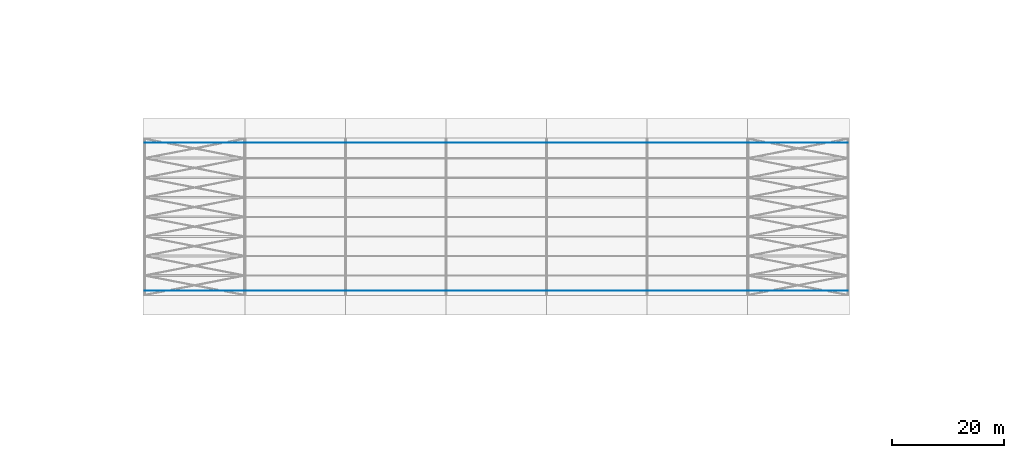
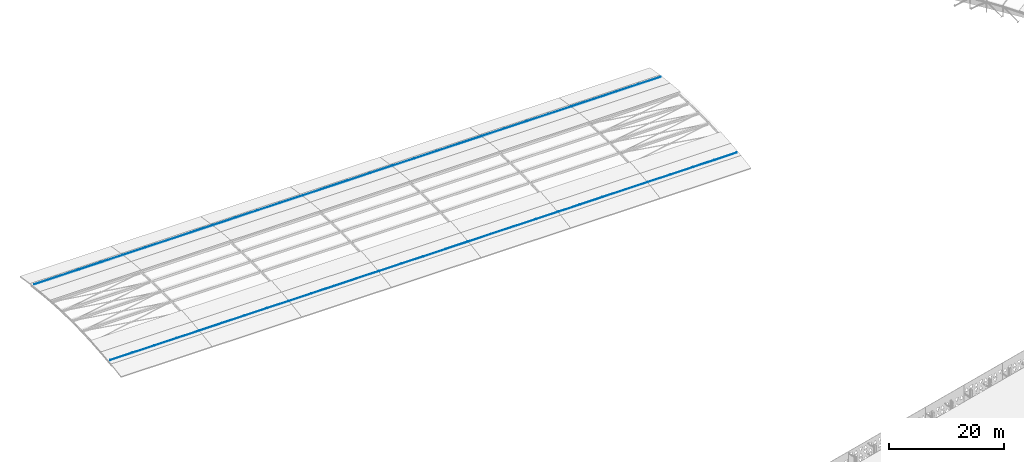
# One storey, part 34 of 41: 56 discrete accessories.
"""IFC4 building model written with IfcOpenShell, lengths in metres."""

from ifc_helpers import new_model, si_unit, direction, frame, origin, place, context, subcontext, project, spatial, polyline, outline, extrude, material, type_object, element, save


model = new_model("IFC4")

# Units and contexts
model_context = context("Model", 3, precision=1e-05, world=origin(), true_north=direction((0.0, 1.0)))
body_context = subcontext(model_context, "Body", "Model", "MODEL_VIEW")
ifc_project = project(units=[si_unit("LENGTHUNIT", "METRE"), si_unit("AREAUNIT", "SQUARE_METRE"), si_unit("VOLUMEUNIT", "CUBIC_METRE"), si_unit("PLANEANGLEUNIT", "RADIAN"), si_unit("MASSUNIT", "GRAM", prefix="KILO")], contexts=[model_context])

# Site, building, storey
site_placement = place(None, origin())
site = spatial("IfcSite", under=ifc_project, at=site_placement, CompositionType="ELEMENT")
building_placement = place(site_placement, origin())
building = spatial("IfcBuilding", under=site, at=building_placement, Name="Okhra Congress Centre", CompositionType="ELEMENT")
storey_placement = place(building_placement, frame((0.0, 0.0, 21.60009765625)))
storey = spatial("IfcBuildingStorey", under=building, at=storey_placement, Name="ROOF", CompositionType="ELEMENT", Elevation=21.60009765625)

# Discrete accessories
ifc_material = material(Name="Stainless steel snow retention bar clamped to the roof seams", Category="steel")
discrete_accessory_type = type_object("IfcDiscreteAccessoryType", Name="Snow guard rail 50x120", PredefinedType="USERDEFINED", material=ifc_material)
for number, where, z_axis, x_axis, name in (
    (1, (28.10009765625, 160.72900390625, 0.916259765625), (0.0, -0.1258213455, 0.99205291644), (1.0, 0.0, 0.0), "Snow guard rail"),
    (2, (32.60009765625, 160.72900390625, 0.916259765625), (0.0, -0.1258213455, 0.99205291644), (1.0, 0.0, 0.0), "Snow guard rail"),
    (3, (37.10009765625, 160.72900390625, 0.916259765625), (0.0, -0.1258213455, 0.99205291644), (1.0, 0.0, 0.0), "Snow guard rail"),
    (4, (41.60009765625, 160.72900390625, 0.916259765625), (0.0, -0.1258213455, 0.99205291644), (1.0, 0.0, 0.0), "Snow guard rail"),
    (5, (28.10009765625, 187.23095703125, 0.92138671875), (0.0, 0.1258213455, 0.99205291644), (1.0, 0.0, 0.0), "Snow guard rail"),
    (6, (32.60009765625, 187.23095703125, 0.92138671875), (0.0, 0.1258213455, 0.99205291644), (1.0, 0.0, 0.0), "Snow guard rail"),
    (7, (37.10009765625, 187.23095703125, 0.92138671875), (0.0, 0.1258213455, 0.99205291644), (1.0, 0.0, 0.0), "Snow guard rail"),
    (8, (41.60009765625, 187.23095703125, 0.92138671875), (0.0, 0.1258213455, 0.99205291644), (1.0, 0.0, 0.0), "Snow guard rail"),
    (9, (46.10009765625, 160.72900390625, 0.916259765625), (0.0, -0.1258213455, 0.99205291644), (1.0, 0.0, 0.0), "Snow guard rail"),
    (10, (50.60009765625, 160.72900390625, 0.916259765625), (0.0, -0.1258213455, 0.99205291644), (1.0, 0.0, 0.0), "Snow guard rail"),
    (11, (55.10009765625, 160.72900390625, 0.916259765625), (0.0, -0.1258213455, 0.99205291644), (1.0, 0.0, 0.0), "Snow guard rail"),
    (12, (59.60009765625, 160.72900390625, 0.916259765625), (0.0, -0.1258213455, 0.99205291644), (1.0, 0.0, 0.0), "Snow guard rail"),
    (13, (46.10009765625, 187.23095703125, 0.92138671875), (0.0, 0.1258213455, 0.99205291644), (1.0, 0.0, 0.0), "Snow guard rail"),
    (14, (50.60009765625, 187.23095703125, 0.92138671875), (0.0, 0.1258213455, 0.99205291644), (1.0, 0.0, 0.0), "Snow guard rail"),
    (15, (55.10009765625, 187.23095703125, 0.92138671875), (0.0, 0.1258213455, 0.99205291644), (1.0, 0.0, 0.0), "Snow guard rail"),
    (16, (59.60009765625, 187.23095703125, 0.92138671875), (0.0, 0.1258213455, 0.99205291644), (1.0, 0.0, 0.0), "Snow guard rail"),
    (17, (64.10009765625, 160.72900390625, 0.916259765625), (0.0, -0.1258213455, 0.99205291644), (1.0, 0.0, 0.0), "Snow guard rail"),
    (18, (68.60009765625, 160.72900390625, 0.916259765625), (0.0, -0.1258213455, 0.99205291644), (1.0, 0.0, 0.0), "Snow guard rail"),
    (19, (73.10009765625, 160.72900390625, 0.916259765625), (0.0, -0.1258213455, 0.99205291644), (1.0, 0.0, 0.0), "Snow guard rail"),
    (20, (77.60009765625, 160.72900390625, 0.916259765625), (0.0, -0.1258213455, 0.99205291644), (1.0, 0.0, 0.0), "Snow guard rail"),
    (21, (64.10009765625, 187.23095703125, 0.92138671875), (0.0, 0.1258213455, 0.99205291644), (1.0, 0.0, 0.0), "Snow guard rail"),
    (22, (68.60009765625, 187.23095703125, 0.92138671875), (0.0, 0.1258213455, 0.99205291644), (1.0, 0.0, 0.0), "Snow guard rail"),
    (23, (73.10009765625, 187.23095703125, 0.92138671875), (0.0, 0.1258213455, 0.99205291644), (1.0, 0.0, 0.0), "Snow guard rail"),
    (24, (77.60009765625, 187.23095703125, 0.92138671875), (0.0, 0.1258213455, 0.99205291644), (1.0, 0.0, 0.0), "Snow guard rail"),
    (25, (82.10009765625, 160.72900390625, 0.916259765625), (0.0, -0.1258213455, 0.99205291644), (1.0, 0.0, 0.0), "Snow guard rail"),
    (26, (86.60009765625, 160.72900390625, 0.916259765625), (0.0, -0.1258213455, 0.99205291644), (1.0, 0.0, 0.0), "Snow guard rail"),
    (27, (91.10009765625, 160.72900390625, 0.916259765625), (0.0, -0.1258213455, 0.99205291644), (1.0, 0.0, 0.0), "Snow guard rail"),
    (28, (95.60009765625, 160.72900390625, 0.916259765625), (0.0, -0.1258213455, 0.99205291644), (1.0, 0.0, 0.0), "Snow guard rail"),
    (29, (82.10009765625, 187.23095703125, 0.92138671875), (0.0, 0.1258213455, 0.99205291644), (1.0, 0.0, 0.0), "Snow guard rail"),
    (30, (86.60009765625, 187.23095703125, 0.92138671875), (0.0, 0.1258213455, 0.99205291644), (1.0, 0.0, 0.0), "Snow guard rail"),
    (31, (91.10009765625, 187.23095703125, 0.92138671875), (0.0, 0.1258213455, 0.99205291644), (1.0, 0.0, 0.0), "Snow guard rail"),
    (32, (95.60009765625, 187.23095703125, 0.92138671875), (0.0, 0.1258213455, 0.99205291644), (1.0, 0.0, 0.0), "Snow guard rail"),
    (33, (100.10009765625, 160.72900390625, 0.916259765625), (0.0, -0.1258213455, 0.99205291644), (1.0, 0.0, 0.0), "Snow guard rail"),
    (34, (104.60009765625, 160.72900390625, 0.916259765625), (0.0, -0.1258213455, 0.99205291644), (1.0, 0.0, 0.0), "Snow guard rail"),
    (35, (109.10009765625, 160.72900390625, 0.916259765625), (0.0, -0.1258213455, 0.99205291644), (1.0, 0.0, 0.0), "Snow guard rail"),
    (36, (113.60009765625, 160.72900390625, 0.916259765625), (0.0, -0.1258213455, 0.99205291644), (1.0, 0.0, 0.0), "Snow guard rail"),
    (37, (100.10009765625, 187.23095703125, 0.92138671875), (0.0, 0.1258213455, 0.99205291644), (1.0, 0.0, 0.0), "Snow guard rail"),
    (38, (104.60009765625, 187.23095703125, 0.92138671875), (0.0, 0.1258213455, 0.99205291644), (1.0, 0.0, 0.0), "Snow guard rail"),
    (39, (109.10009765625, 187.23095703125, 0.92138671875), (0.0, 0.1258213455, 0.99205291644), (1.0, 0.0, 0.0), "Snow guard rail"),
    (40, (113.60009765625, 187.23095703125, 0.92138671875), (0.0, 0.1258213455, 0.99205291644), (1.0, 0.0, 0.0), "Snow guard rail"),
    (41, (118.10009765625, 160.72900390625, 0.916259765625), (0.0, -0.1258213455, 0.99205291644), (1.0, 0.0, 0.0), "Snow guard rail"),
    (42, (122.60009765625, 160.72900390625, 0.916259765625), (0.0, -0.1258213455, 0.99205291644), (1.0, 0.0, 0.0), "Snow guard rail"),
    (43, (127.10009765625, 160.72900390625, 0.916259765625), (0.0, -0.1258213455, 0.99205291644), (1.0, 0.0, 0.0), "Snow guard rail"),
    (44, (131.60009765625, 160.72900390625, 0.916259765625), (0.0, -0.1258213455, 0.99205291644), (1.0, 0.0, 0.0), "Snow guard rail"),
    (45, (118.10009765625, 187.23095703125, 0.92138671875), (0.0, 0.1258213455, 0.99205291644), (1.0, 0.0, 0.0), "Snow guard rail"),
    (46, (122.60009765625, 187.23095703125, 0.92138671875), (0.0, 0.1258213455, 0.99205291644), (1.0, 0.0, 0.0), "Snow guard rail"),
    (47, (127.10009765625, 187.23095703125, 0.92138671875), (0.0, 0.1258213455, 0.99205291644), (1.0, 0.0, 0.0), "Snow guard rail"),
    (48, (131.60009765625, 187.23095703125, 0.92138671875), (0.0, 0.1258213455, 0.99205291644), (1.0, 0.0, 0.0), "Snow guard rail"),
    (49, (136.10009765625, 160.72900390625, 0.916259765625), (0.0, -0.1258213455, 0.99205291644), (1.0, 0.0, 0.0), "Snow guard rail"),
    (50, (140.60009765625, 160.72900390625, 0.916259765625), (0.0, -0.1258213455, 0.99205291644), (1.0, 0.0, 0.0), "Snow guard rail"),
    (51, (145.10009765625, 160.72900390625, 0.916259765625), (0.0, -0.1258213455, 0.99205291644), (1.0, 0.0, 0.0), "Snow guard rail"),
    (52, (149.60009765625, 160.72900390625, 0.916259765625), (0.0, -0.1258213455, 0.99205291644), (1.0, 0.0, 0.0), "Snow guard rail"),
    (53, (136.10009765625, 187.23095703125, 0.92138671875), (0.0, 0.1258213455, 0.99205291644), (1.0, 0.0, 0.0), "Snow guard rail"),
    (54, (140.60009765625, 187.23095703125, 0.92138671875), (0.0, 0.1258213455, 0.99205291644), (1.0, 0.0, 0.0), "Snow guard rail"),
    (55, (145.10009765625, 187.23095703125, 0.92138671875), (0.0, 0.1258213455, 0.99205291644), (1.0, 0.0, 0.0), "Snow guard rail"),
    (56, (149.60009765625, 187.23095703125, 0.92138671875), (0.0, 0.1258213455, 0.99205291644), (1.0, 0.0, 0.0), "Snow guard rail"),
):
    element("IfcDiscreteAccessory", number, at=place(storey_placement, frame(where, z_axis=z_axis, x_axis=x_axis)), inside=storey, type_object=discrete_accessory_type, Name=name, ObjectType="SNOW GUARD", PredefinedType="USERDEFINED", context=body_context, shape_type="SweptSolid", body=[
        extrude(outline(polyline([(0.0, 0.0), (4.2998046875, 0.0), (4.2998046875, 0.05044975655594341), (0.0, 0.05044975655594341), (0.0, 0.0)])), origin(), (0.0, 0.0, -1.0), 0.1201171875),
    ])

save(model, "model.ifc")
